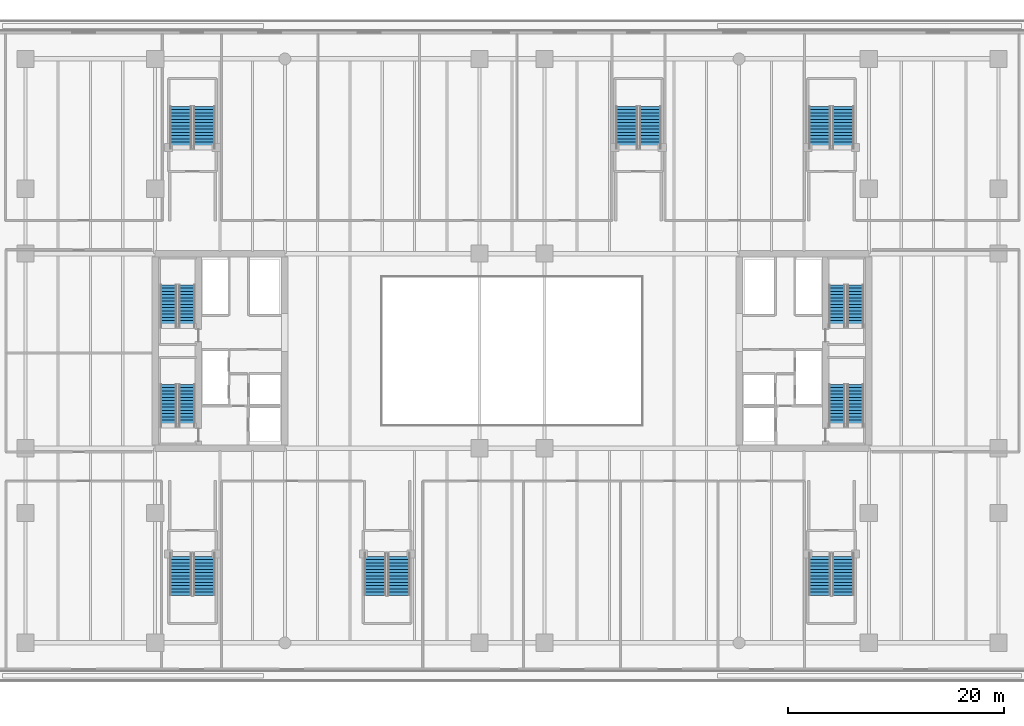
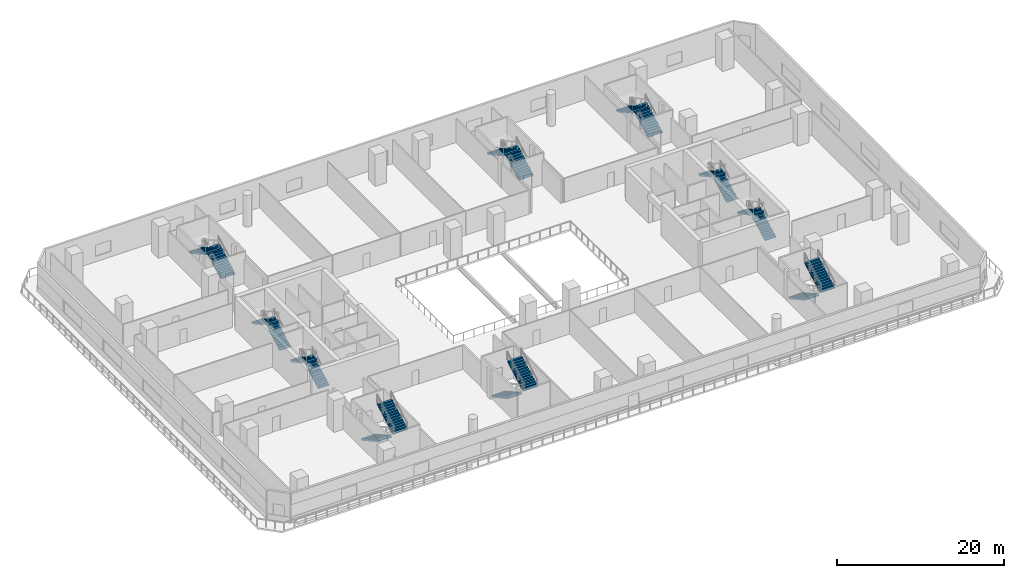
# One storey, part 10 of 27: 20 stair flights, 10 elements without a shape of their own.
"""IFC4 building model written with IfcOpenShell, lengths in metres."""

from ifc_helpers import new_model, si_unit, direction, frame, origin, place, context, subcontext, project, spatial, polyline, outline, extrude, material, type_object, element, aggregate, save


model = new_model("IFC4")

# Units and contexts
model_context = context("Model", 3, precision=1e-05, world=origin(), true_north=direction((0.0, 1.0)))
body_context = subcontext(model_context, "Body", "Model", "MODEL_VIEW")
ifc_project = project(units=[si_unit("LENGTHUNIT", "METRE"), si_unit("AREAUNIT", "SQUARE_METRE"), si_unit("VOLUMEUNIT", "CUBIC_METRE"), si_unit("PLANEANGLEUNIT", "RADIAN"), si_unit("MASSUNIT", "GRAM", prefix="KILO")], contexts=[model_context])

# Site, building, storey
site_placement = place(None, origin())
site = spatial("IfcSite", under=ifc_project, at=site_placement, CompositionType="ELEMENT")
building_placement = place(site_placement, origin())
building = spatial("IfcBuilding", under=site, at=building_placement, Name="Tanjung Sevakor Pilgrim Tower", CompositionType="ELEMENT")
storey_placement = place(building_placement, frame((0.0, 0.0, 19.469970703125)))
storey = spatial("IfcBuildingStorey", under=building, at=storey_placement, Name="L05", CompositionType="ELEMENT", Elevation=19.469970703125)

# Stair, stair flights
ifc_material_1 = material(Name="Concrete C40/50", Category="concrete")
stair_type_1 = type_object("IfcStairType", Name="STAIR-ST-CR150", PredefinedType="HALF_TURN_STAIR", material=ifc_material_1)
stair_1_placement = place(storey_placement, origin())
stair_1 = element("IfcStair", 1, at=stair_1_placement, inside=storey, type_object=stair_type_1, Name="L05 West Core Exit Stair 1", PredefinedType="HALF_TURN_STAIR")
ifc_material_2 = material(Name="Concrete C40/50", Category="concrete")
stair_flight_type_1 = type_object("IfcStairFlightType", Name="FLIGHT-ST-CR150", PredefinedType="STRAIGHT", material=ifc_material_2)
stair_flight_1_placement = place(storey_placement, frame((26.949951171875, 26.60009765625, 0.0), z_axis=(0.0, 0.0, 1.0), x_axis=(0.0, 1.0, 0.0)))
stair_flight_1 = element("IfcStairFlight", 2, at=stair_flight_1_placement, type_object=stair_flight_type_1, Name="TS-W1 flight 1", NumberOfRisers=14, NumberOfTreads=13, PredefinedType="STRAIGHT", RiserHeight=0.165, TreadLength=0.3, context=body_context, shape_type="SweptSolid", body=[
    extrude(outline(polyline([(0.0, 0.0), (0.0, 0.1650390625), (0.300048828125, 0.1650390625), (0.300048828125, 0.330078125), (0.60009765625, 0.330078125), (0.60009765625, 0.4951171875), (0.89990234375, 0.4951171875), (0.89990234375, 0.659912109375), (1.199951171875, 0.659912109375), (1.199951171875, 0.824951171875), (1.5, 0.824951171875), (1.5, 0.989990234375), (1.800048828125, 0.989990234375), (1.800048828125, 1.155029296875), (2.10009765625, 1.155029296875), (2.10009765625, 1.320068359375), (2.39990234375, 1.320068359375), (2.39990234375, 1.485107421875), (2.699951171875, 1.485107421875), (2.699951171875, 1.64990234375), (3.0, 1.64990234375), (3.0, 1.81494140625), (3.300048828125, 1.81494140625), (3.300048828125, 1.97998046875), (3.60009765625, 1.97998046875), (3.60009765625, 2.14501953125), (3.89990234375, 2.14501953125), (3.89990234375, 2.31005859375), (3.89990234375, 1.96240234375), (0.331787109375, 0.0), (0.0, 0.0)])), frame((0.0, 0.75, 0.0), z_axis=(0.0, -1.0, 0.0), x_axis=(1.0, 0.0, 0.0)), (0.0, 0.0, 1.0), 1.5),
])
stair_flight_2_placement = place(storey_placement, frame((25.25, 30.5, 2.31005859375), z_axis=(0.0, 0.0, 1.0), x_axis=(0.0, -1.0, 0.0)))
stair_flight_2 = element("IfcStairFlight", 3, at=stair_flight_2_placement, type_object=stair_flight_type_1, Name="TS-W1 flight 2", NumberOfRisers=14, NumberOfTreads=13, PredefinedType="STRAIGHT", RiserHeight=0.165, TreadLength=0.3, context=body_context, shape_type="SweptSolid", body=[
    extrude(outline(polyline([(0.0, 0.0), (0.0, 0.1650390625), (0.300048828125, 0.1650390625), (0.300048828125, 0.330078125), (0.60009765625, 0.330078125), (0.60009765625, 0.4951171875), (0.89990234375, 0.4951171875), (0.89990234375, 0.659912109375), (1.199951171875, 0.659912109375), (1.199951171875, 0.824951171875), (1.5, 0.824951171875), (1.5, 0.989990234375), (1.800048828125, 0.989990234375), (1.800048828125, 1.155029296875), (2.10009765625, 1.155029296875), (2.10009765625, 1.320068359375), (2.39990234375, 1.320068359375), (2.39990234375, 1.485107421875), (2.699951171875, 1.485107421875), (2.699951171875, 1.64990234375), (3.0, 1.64990234375), (3.0, 1.81494140625), (3.300048828125, 1.81494140625), (3.300048828125, 1.97998046875), (3.60009765625, 1.97998046875), (3.60009765625, 2.14501953125), (3.89990234375, 2.14501953125), (3.89990234375, 2.31005859375), (3.89990234375, 1.96240234375), (0.331787109375, 0.0), (0.0, 0.0)])), frame((0.0, 0.75, 0.0), z_axis=(0.0, -1.0, 0.0), x_axis=(1.0, 0.0, 0.0)), (0.0, 0.0, 1.0), 1.5),
])
aggregate(stair_1, [stair_flight_1, stair_flight_2])

stair_2_placement = place(storey_placement, origin())
stair_2 = element("IfcStair", 4, at=stair_2_placement, inside=storey, type_object=stair_type_1, Name="L05 West Core Exit Stair 2", PredefinedType="HALF_TURN_STAIR")
stair_flight_3_placement = place(storey_placement, frame((26.949951171875, 35.800048828125, 0.0), z_axis=(0.0, 0.0, 1.0), x_axis=(0.0, 1.0, 0.0)))
stair_flight_3 = element("IfcStairFlight", 5, at=stair_flight_3_placement, type_object=stair_flight_type_1, Name="TS-W2 flight 1", NumberOfRisers=14, NumberOfTreads=13, PredefinedType="STRAIGHT", RiserHeight=0.165, TreadLength=0.3, context=body_context, shape_type="SweptSolid", body=[
    extrude(outline(polyline([(0.0, 0.0), (0.0, 0.1650390625), (0.300048828125, 0.1650390625), (0.300048828125, 0.330078125), (0.60009765625, 0.330078125), (0.60009765625, 0.4951171875), (0.89990234375, 0.4951171875), (0.89990234375, 0.659912109375), (1.199951171875, 0.659912109375), (1.199951171875, 0.824951171875), (1.5, 0.824951171875), (1.5, 0.989990234375), (1.800048828125, 0.989990234375), (1.800048828125, 1.155029296875), (2.10009765625, 1.155029296875), (2.10009765625, 1.320068359375), (2.39990234375, 1.320068359375), (2.39990234375, 1.485107421875), (2.699951171875, 1.485107421875), (2.699951171875, 1.64990234375), (3.0, 1.64990234375), (3.0, 1.81494140625), (3.300048828125, 1.81494140625), (3.300048828125, 1.97998046875), (3.60009765625, 1.97998046875), (3.60009765625, 2.14501953125), (3.89990234375, 2.14501953125), (3.89990234375, 2.31005859375), (3.89990234375, 1.96240234375), (0.331787109375, 0.0), (0.0, 0.0)])), frame((0.0, 0.75, 0.0), z_axis=(0.0, -1.0, 0.0), x_axis=(1.0, 0.0, 0.0)), (0.0, 0.0, 1.0), 1.5),
])
stair_flight_4_placement = place(storey_placement, frame((25.25, 39.699951171875, 2.31005859375), z_axis=(0.0, 0.0, 1.0), x_axis=(0.0, -1.0, 0.0)))
stair_flight_4 = element("IfcStairFlight", 6, at=stair_flight_4_placement, type_object=stair_flight_type_1, Name="TS-W2 flight 2", NumberOfRisers=14, NumberOfTreads=13, PredefinedType="STRAIGHT", RiserHeight=0.165, TreadLength=0.3, context=body_context, shape_type="SweptSolid", body=[
    extrude(outline(polyline([(0.0, 0.0), (0.0, 0.1650390625), (0.300048828125, 0.1650390625), (0.300048828125, 0.330078125), (0.60009765625, 0.330078125), (0.60009765625, 0.4951171875), (0.89990234375, 0.4951171875), (0.89990234375, 0.659912109375), (1.199951171875, 0.659912109375), (1.199951171875, 0.824951171875), (1.5, 0.824951171875), (1.5, 0.989990234375), (1.800048828125, 0.989990234375), (1.800048828125, 1.155029296875), (2.10009765625, 1.155029296875), (2.10009765625, 1.320068359375), (2.39990234375, 1.320068359375), (2.39990234375, 1.485107421875), (2.699951171875, 1.485107421875), (2.699951171875, 1.64990234375), (3.0, 1.64990234375), (3.0, 1.81494140625), (3.300048828125, 1.81494140625), (3.300048828125, 1.97998046875), (3.60009765625, 1.97998046875), (3.60009765625, 2.14501953125), (3.89990234375, 2.14501953125), (3.89990234375, 2.31005859375), (3.89990234375, 1.96240234375), (0.331787109375, 0.0), (0.0, 0.0)])), frame((0.0, 0.75, 0.0), z_axis=(0.0, -1.0, 0.0), x_axis=(1.0, 0.0, 0.0)), (0.0, 0.0, 1.0), 1.5),
])
aggregate(stair_2, [stair_flight_3, stair_flight_4])

stair_3_placement = place(storey_placement, origin())
stair_3 = element("IfcStair", 7, at=stair_3_placement, inside=storey, type_object=stair_type_1, Name="L05 East Core Exit Stair 1", PredefinedType="HALF_TURN_STAIR")
stair_flight_5_placement = place(storey_placement, frame((88.75, 26.60009765625, 0.0), z_axis=(0.0, 0.0, 1.0), x_axis=(0.0, 1.0, 0.0)))
stair_flight_5 = element("IfcStairFlight", 8, at=stair_flight_5_placement, type_object=stair_flight_type_1, Name="TS-E1 flight 1", NumberOfRisers=14, NumberOfTreads=13, PredefinedType="STRAIGHT", RiserHeight=0.165, TreadLength=0.3, context=body_context, shape_type="SweptSolid", body=[
    extrude(outline(polyline([(0.0, 0.0), (0.0, 0.1650390625), (0.300048828125, 0.1650390625), (0.300048828125, 0.330078125), (0.60009765625, 0.330078125), (0.60009765625, 0.4951171875), (0.89990234375, 0.4951171875), (0.89990234375, 0.659912109375), (1.199951171875, 0.659912109375), (1.199951171875, 0.824951171875), (1.5, 0.824951171875), (1.5, 0.989990234375), (1.800048828125, 0.989990234375), (1.800048828125, 1.155029296875), (2.10009765625, 1.155029296875), (2.10009765625, 1.320068359375), (2.39990234375, 1.320068359375), (2.39990234375, 1.485107421875), (2.699951171875, 1.485107421875), (2.699951171875, 1.64990234375), (3.0, 1.64990234375), (3.0, 1.81494140625), (3.300048828125, 1.81494140625), (3.300048828125, 1.97998046875), (3.60009765625, 1.97998046875), (3.60009765625, 2.14501953125), (3.89990234375, 2.14501953125), (3.89990234375, 2.31005859375), (3.89990234375, 1.96240234375), (0.331787109375, 0.0), (0.0, 0.0)])), frame((0.0, 0.75, 0.0), z_axis=(0.0, -1.0, 0.0), x_axis=(1.0, 0.0, 0.0)), (0.0, 0.0, 1.0), 1.5),
])
stair_flight_6_placement = place(storey_placement, frame((87.050048828125, 30.5, 2.31005859375), z_axis=(0.0, 0.0, 1.0), x_axis=(0.0, -1.0, 0.0)))
stair_flight_6 = element("IfcStairFlight", 9, at=stair_flight_6_placement, type_object=stair_flight_type_1, Name="TS-E1 flight 2", NumberOfRisers=14, NumberOfTreads=13, PredefinedType="STRAIGHT", RiserHeight=0.165, TreadLength=0.3, context=body_context, shape_type="SweptSolid", body=[
    extrude(outline(polyline([(0.0, 0.0), (0.0, 0.1650390625), (0.300048828125, 0.1650390625), (0.300048828125, 0.330078125), (0.60009765625, 0.330078125), (0.60009765625, 0.4951171875), (0.89990234375, 0.4951171875), (0.89990234375, 0.659912109375), (1.199951171875, 0.659912109375), (1.199951171875, 0.824951171875), (1.5, 0.824951171875), (1.5, 0.989990234375), (1.800048828125, 0.989990234375), (1.800048828125, 1.155029296875), (2.10009765625, 1.155029296875), (2.10009765625, 1.320068359375), (2.39990234375, 1.320068359375), (2.39990234375, 1.485107421875), (2.699951171875, 1.485107421875), (2.699951171875, 1.64990234375), (3.0, 1.64990234375), (3.0, 1.81494140625), (3.300048828125, 1.81494140625), (3.300048828125, 1.97998046875), (3.60009765625, 1.97998046875), (3.60009765625, 2.14501953125), (3.89990234375, 2.14501953125), (3.89990234375, 2.31005859375), (3.89990234375, 1.96240234375), (0.331787109375, 0.0), (0.0, 0.0)])), frame((0.0, 0.75, 0.0), z_axis=(0.0, -1.0, 0.0), x_axis=(1.0, 0.0, 0.0)), (0.0, 0.0, 1.0), 1.5),
])
aggregate(stair_3, [stair_flight_5, stair_flight_6])

stair_4_placement = place(storey_placement, origin())
stair_4 = element("IfcStair", 10, at=stair_4_placement, inside=storey, type_object=stair_type_1, Name="L05 East Core Exit Stair 2", PredefinedType="HALF_TURN_STAIR")
stair_flight_7_placement = place(storey_placement, frame((88.75, 35.800048828125, 0.0), z_axis=(0.0, 0.0, 1.0), x_axis=(0.0, 1.0, 0.0)))
stair_flight_7 = element("IfcStairFlight", 11, at=stair_flight_7_placement, type_object=stair_flight_type_1, Name="TS-E2 flight 1", NumberOfRisers=14, NumberOfTreads=13, PredefinedType="STRAIGHT", RiserHeight=0.165, TreadLength=0.3, context=body_context, shape_type="SweptSolid", body=[
    extrude(outline(polyline([(0.0, 0.0), (0.0, 0.1650390625), (0.300048828125, 0.1650390625), (0.300048828125, 0.330078125), (0.60009765625, 0.330078125), (0.60009765625, 0.4951171875), (0.89990234375, 0.4951171875), (0.89990234375, 0.659912109375), (1.199951171875, 0.659912109375), (1.199951171875, 0.824951171875), (1.5, 0.824951171875), (1.5, 0.989990234375), (1.800048828125, 0.989990234375), (1.800048828125, 1.155029296875), (2.10009765625, 1.155029296875), (2.10009765625, 1.320068359375), (2.39990234375, 1.320068359375), (2.39990234375, 1.485107421875), (2.699951171875, 1.485107421875), (2.699951171875, 1.64990234375), (3.0, 1.64990234375), (3.0, 1.81494140625), (3.300048828125, 1.81494140625), (3.300048828125, 1.97998046875), (3.60009765625, 1.97998046875), (3.60009765625, 2.14501953125), (3.89990234375, 2.14501953125), (3.89990234375, 2.31005859375), (3.89990234375, 1.96240234375), (0.331787109375, 0.0), (0.0, 0.0)])), frame((0.0, 0.75, 0.0), z_axis=(0.0, -1.0, 0.0), x_axis=(1.0, 0.0, 0.0)), (0.0, 0.0, 1.0), 1.5),
])
stair_flight_8_placement = place(storey_placement, frame((87.050048828125, 39.699951171875, 2.31005859375), z_axis=(0.0, 0.0, 1.0), x_axis=(0.0, -1.0, 0.0)))
stair_flight_8 = element("IfcStairFlight", 12, at=stair_flight_8_placement, type_object=stair_flight_type_1, Name="TS-E2 flight 2", NumberOfRisers=14, NumberOfTreads=13, PredefinedType="STRAIGHT", RiserHeight=0.165, TreadLength=0.3, context=body_context, shape_type="SweptSolid", body=[
    extrude(outline(polyline([(0.0, 0.0), (0.0, 0.1650390625), (0.300048828125, 0.1650390625), (0.300048828125, 0.330078125), (0.60009765625, 0.330078125), (0.60009765625, 0.4951171875), (0.89990234375, 0.4951171875), (0.89990234375, 0.659912109375), (1.199951171875, 0.659912109375), (1.199951171875, 0.824951171875), (1.5, 0.824951171875), (1.5, 0.989990234375), (1.800048828125, 0.989990234375), (1.800048828125, 1.155029296875), (2.10009765625, 1.155029296875), (2.10009765625, 1.320068359375), (2.39990234375, 1.320068359375), (2.39990234375, 1.485107421875), (2.699951171875, 1.485107421875), (2.699951171875, 1.64990234375), (3.0, 1.64990234375), (3.0, 1.81494140625), (3.300048828125, 1.81494140625), (3.300048828125, 1.97998046875), (3.60009765625, 1.97998046875), (3.60009765625, 2.14501953125), (3.89990234375, 2.14501953125), (3.89990234375, 2.31005859375), (3.89990234375, 1.96240234375), (0.331787109375, 0.0), (0.0, 0.0)])), frame((0.0, 0.75, 0.0), z_axis=(0.0, -1.0, 0.0), x_axis=(1.0, 0.0, 0.0)), (0.0, 0.0, 1.0), 1.5),
])
aggregate(stair_4, [stair_flight_7, stair_flight_8])

ifc_material_3 = material(Name="Concrete C40/50", Category="concrete")
stair_type_2 = type_object("IfcStairType", Name="STAIR-ST-PD200", PredefinedType="HALF_TURN_STAIR", material=ifc_material_3)
stair_5_placement = place(storey_placement, origin())
stair_5 = element("IfcStair", 13, at=stair_5_placement, inside=storey, type_object=stair_type_2, Name="L05 Podium South-West Assembly Stair", PredefinedType="HALF_TURN_STAIR")
ifc_material_4 = material(Name="Concrete C40/50", Category="concrete")
stair_flight_type_2 = type_object("IfcStairFlightType", Name="FLIGHT-ST-PD200", PredefinedType="STRAIGHT", material=ifc_material_4)
stair_flight_9_placement = place(storey_placement, frame((26.35009765625, 14.89990234375, 0.0), z_axis=(0.0, 0.0, 1.0), x_axis=(0.0, -1.0, 0.0)))
stair_flight_9 = element("IfcStairFlight", 14, at=stair_flight_9_placement, type_object=stair_flight_type_2, Name="PS-1 flight 1", NumberOfRisers=14, NumberOfTreads=13, PredefinedType="STRAIGHT", RiserHeight=0.165, TreadLength=0.3, context=body_context, shape_type="SweptSolid", body=[
    extrude(outline(polyline([(0.0, 0.0), (0.0, 0.1650390625), (0.300048828125, 0.1650390625), (0.300048828125, 0.330078125), (0.60009765625, 0.330078125), (0.60009765625, 0.4951171875), (0.89990234375, 0.4951171875), (0.89990234375, 0.659912109375), (1.199951171875, 0.659912109375), (1.199951171875, 0.824951171875), (1.5, 0.824951171875), (1.5, 0.989990234375), (1.800048828125, 0.989990234375), (1.800048828125, 1.155029296875), (2.10009765625, 1.155029296875), (2.10009765625, 1.320068359375), (2.39990234375, 1.320068359375), (2.39990234375, 1.485107421875), (2.699951171875, 1.485107421875), (2.699951171875, 1.64990234375), (3.0, 1.64990234375), (3.0, 1.81494140625), (3.300048828125, 1.81494140625), (3.300048828125, 1.97998046875), (3.60009765625, 1.97998046875), (3.60009765625, 2.14501953125), (3.89990234375, 2.14501953125), (3.89990234375, 2.31005859375), (3.89990234375, 1.96240234375), (0.331787109375, 0.0), (0.0, 0.0)])), frame((0.0, 1.0, 0.0), z_axis=(0.0, -1.0, 0.0), x_axis=(1.0, 0.0, 0.0)), (0.0, 0.0, 1.0), 2.0),
])
stair_flight_10_placement = place(storey_placement, frame((28.550048828125, 11.0, 2.31005859375), z_axis=(0.0, 0.0, 1.0), x_axis=(0.0, 1.0, 0.0)))
stair_flight_10 = element("IfcStairFlight", 15, at=stair_flight_10_placement, type_object=stair_flight_type_2, Name="PS-1 flight 2", NumberOfRisers=14, NumberOfTreads=13, PredefinedType="STRAIGHT", RiserHeight=0.165, TreadLength=0.3, context=body_context, shape_type="SweptSolid", body=[
    extrude(outline(polyline([(0.0, 0.0), (0.0, 0.1650390625), (0.300048828125, 0.1650390625), (0.300048828125, 0.330078125), (0.60009765625, 0.330078125), (0.60009765625, 0.4951171875), (0.89990234375, 0.4951171875), (0.89990234375, 0.659912109375), (1.199951171875, 0.659912109375), (1.199951171875, 0.824951171875), (1.5, 0.824951171875), (1.5, 0.989990234375), (1.800048828125, 0.989990234375), (1.800048828125, 1.155029296875), (2.10009765625, 1.155029296875), (2.10009765625, 1.320068359375), (2.39990234375, 1.320068359375), (2.39990234375, 1.485107421875), (2.699951171875, 1.485107421875), (2.699951171875, 1.64990234375), (3.0, 1.64990234375), (3.0, 1.81494140625), (3.300048828125, 1.81494140625), (3.300048828125, 1.97998046875), (3.60009765625, 1.97998046875), (3.60009765625, 2.14501953125), (3.89990234375, 2.14501953125), (3.89990234375, 2.31005859375), (3.89990234375, 1.96240234375), (0.331787109375, 0.0), (0.0, 0.0)])), frame((0.0, 1.0, 0.0), z_axis=(0.0, -1.0, 0.0), x_axis=(1.0, 0.0, 0.0)), (0.0, 0.0, 1.0), 2.0),
])
aggregate(stair_5, [stair_flight_9, stair_flight_10])

stair_6_placement = place(storey_placement, origin())
stair_6 = element("IfcStair", 16, at=stair_6_placement, inside=storey, type_object=stair_type_2, Name="L05 Podium North-West Assembly Stair", PredefinedType="HALF_TURN_STAIR")
stair_flight_11_placement = place(storey_placement, frame((28.550048828125, 52.300048828125, 0.0), z_axis=(0.0, 0.0, 1.0), x_axis=(0.0, 1.0, 0.0)))
stair_flight_11 = element("IfcStairFlight", 17, at=stair_flight_11_placement, type_object=stair_flight_type_2, Name="PS-2 flight 1", NumberOfRisers=14, NumberOfTreads=13, PredefinedType="STRAIGHT", RiserHeight=0.165, TreadLength=0.3, context=body_context, shape_type="SweptSolid", body=[
    extrude(outline(polyline([(0.0, 0.0), (0.0, 0.1650390625), (0.300048828125, 0.1650390625), (0.300048828125, 0.330078125), (0.60009765625, 0.330078125), (0.60009765625, 0.4951171875), (0.89990234375, 0.4951171875), (0.89990234375, 0.659912109375), (1.199951171875, 0.659912109375), (1.199951171875, 0.824951171875), (1.5, 0.824951171875), (1.5, 0.989990234375), (1.800048828125, 0.989990234375), (1.800048828125, 1.155029296875), (2.10009765625, 1.155029296875), (2.10009765625, 1.320068359375), (2.39990234375, 1.320068359375), (2.39990234375, 1.485107421875), (2.699951171875, 1.485107421875), (2.699951171875, 1.64990234375), (3.0, 1.64990234375), (3.0, 1.81494140625), (3.300048828125, 1.81494140625), (3.300048828125, 1.97998046875), (3.60009765625, 1.97998046875), (3.60009765625, 2.14501953125), (3.89990234375, 2.14501953125), (3.89990234375, 2.31005859375), (3.89990234375, 1.96240234375), (0.331787109375, 0.0), (0.0, 0.0)])), frame((0.0, 1.0, 0.0), z_axis=(0.0, -1.0, 0.0), x_axis=(1.0, 0.0, 0.0)), (0.0, 0.0, 1.0), 2.0),
])
stair_flight_12_placement = place(storey_placement, frame((26.35009765625, 56.199951171875, 2.31005859375), z_axis=(0.0, 0.0, 1.0), x_axis=(0.0, -1.0, 0.0)))
stair_flight_12 = element("IfcStairFlight", 18, at=stair_flight_12_placement, type_object=stair_flight_type_2, Name="PS-2 flight 2", NumberOfRisers=14, NumberOfTreads=13, PredefinedType="STRAIGHT", RiserHeight=0.165, TreadLength=0.3, context=body_context, shape_type="SweptSolid", body=[
    extrude(outline(polyline([(0.0, 0.0), (0.0, 0.1650390625), (0.300048828125, 0.1650390625), (0.300048828125, 0.330078125), (0.60009765625, 0.330078125), (0.60009765625, 0.4951171875), (0.89990234375, 0.4951171875), (0.89990234375, 0.659912109375), (1.199951171875, 0.659912109375), (1.199951171875, 0.824951171875), (1.5, 0.824951171875), (1.5, 0.989990234375), (1.800048828125, 0.989990234375), (1.800048828125, 1.155029296875), (2.10009765625, 1.155029296875), (2.10009765625, 1.320068359375), (2.39990234375, 1.320068359375), (2.39990234375, 1.485107421875), (2.699951171875, 1.485107421875), (2.699951171875, 1.64990234375), (3.0, 1.64990234375), (3.0, 1.81494140625), (3.300048828125, 1.81494140625), (3.300048828125, 1.97998046875), (3.60009765625, 1.97998046875), (3.60009765625, 2.14501953125), (3.89990234375, 2.14501953125), (3.89990234375, 2.31005859375), (3.89990234375, 1.96240234375), (0.331787109375, 0.0), (0.0, 0.0)])), frame((0.0, 1.0, 0.0), z_axis=(0.0, -1.0, 0.0), x_axis=(1.0, 0.0, 0.0)), (0.0, 0.0, 1.0), 2.0),
])
aggregate(stair_6, [stair_flight_11, stair_flight_12])

stair_7_placement = place(storey_placement, origin())
stair_7 = element("IfcStair", 19, at=stair_7_placement, inside=storey, type_object=stair_type_2, Name="L05 Podium South-Central Assembly Stair", PredefinedType="HALF_TURN_STAIR")
stair_flight_13_placement = place(storey_placement, frame((44.35009765625, 14.89990234375, 0.0), z_axis=(0.0, 0.0, 1.0), x_axis=(0.0, -1.0, 0.0)))
stair_flight_13 = element("IfcStairFlight", 20, at=stair_flight_13_placement, type_object=stair_flight_type_2, Name="PS-3 flight 1", NumberOfRisers=14, NumberOfTreads=13, PredefinedType="STRAIGHT", RiserHeight=0.165, TreadLength=0.3, context=body_context, shape_type="SweptSolid", body=[
    extrude(outline(polyline([(0.0, 0.0), (0.0, 0.1650390625), (0.300048828125, 0.1650390625), (0.300048828125, 0.330078125), (0.60009765625, 0.330078125), (0.60009765625, 0.4951171875), (0.89990234375, 0.4951171875), (0.89990234375, 0.659912109375), (1.199951171875, 0.659912109375), (1.199951171875, 0.824951171875), (1.5, 0.824951171875), (1.5, 0.989990234375), (1.800048828125, 0.989990234375), (1.800048828125, 1.155029296875), (2.10009765625, 1.155029296875), (2.10009765625, 1.320068359375), (2.39990234375, 1.320068359375), (2.39990234375, 1.485107421875), (2.699951171875, 1.485107421875), (2.699951171875, 1.64990234375), (3.0, 1.64990234375), (3.0, 1.81494140625), (3.300048828125, 1.81494140625), (3.300048828125, 1.97998046875), (3.60009765625, 1.97998046875), (3.60009765625, 2.14501953125), (3.89990234375, 2.14501953125), (3.89990234375, 2.31005859375), (3.89990234375, 1.96240234375), (0.331787109375, 0.0), (0.0, 0.0)])), frame((0.0, 1.0, 0.0), z_axis=(0.0, -1.0, 0.0), x_axis=(1.0, 0.0, 0.0)), (0.0, 0.0, 1.0), 2.0),
])
stair_flight_14_placement = place(storey_placement, frame((46.550048828125, 11.0, 2.31005859375), z_axis=(0.0, 0.0, 1.0), x_axis=(0.0, 1.0, 0.0)))
stair_flight_14 = element("IfcStairFlight", 21, at=stair_flight_14_placement, type_object=stair_flight_type_2, Name="PS-3 flight 2", NumberOfRisers=14, NumberOfTreads=13, PredefinedType="STRAIGHT", RiserHeight=0.165, TreadLength=0.3, context=body_context, shape_type="SweptSolid", body=[
    extrude(outline(polyline([(0.0, 0.0), (0.0, 0.1650390625), (0.300048828125, 0.1650390625), (0.300048828125, 0.330078125), (0.60009765625, 0.330078125), (0.60009765625, 0.4951171875), (0.89990234375, 0.4951171875), (0.89990234375, 0.659912109375), (1.199951171875, 0.659912109375), (1.199951171875, 0.824951171875), (1.5, 0.824951171875), (1.5, 0.989990234375), (1.800048828125, 0.989990234375), (1.800048828125, 1.155029296875), (2.10009765625, 1.155029296875), (2.10009765625, 1.320068359375), (2.39990234375, 1.320068359375), (2.39990234375, 1.485107421875), (2.699951171875, 1.485107421875), (2.699951171875, 1.64990234375), (3.0, 1.64990234375), (3.0, 1.81494140625), (3.300048828125, 1.81494140625), (3.300048828125, 1.97998046875), (3.60009765625, 1.97998046875), (3.60009765625, 2.14501953125), (3.89990234375, 2.14501953125), (3.89990234375, 2.31005859375), (3.89990234375, 1.96240234375), (0.331787109375, 0.0), (0.0, 0.0)])), frame((0.0, 1.0, 0.0), z_axis=(0.0, -1.0, 0.0), x_axis=(1.0, 0.0, 0.0)), (0.0, 0.0, 1.0), 2.0),
])
aggregate(stair_7, [stair_flight_13, stair_flight_14])

stair_8_placement = place(storey_placement, origin())
stair_8 = element("IfcStair", 22, at=stair_8_placement, inside=storey, type_object=stair_type_2, Name="L05 Podium North-Central Assembly Stair", PredefinedType="HALF_TURN_STAIR")
stair_flight_15_placement = place(storey_placement, frame((69.800048828125, 52.300048828125, 0.0), z_axis=(0.0, 0.0, 1.0), x_axis=(0.0, 1.0, 0.0)))
stair_flight_15 = element("IfcStairFlight", 23, at=stair_flight_15_placement, type_object=stair_flight_type_2, Name="PS-4 flight 1", NumberOfRisers=14, NumberOfTreads=13, PredefinedType="STRAIGHT", RiserHeight=0.165, TreadLength=0.3, context=body_context, shape_type="SweptSolid", body=[
    extrude(outline(polyline([(0.0, 0.0), (0.0, 0.1650390625), (0.300048828125, 0.1650390625), (0.300048828125, 0.330078125), (0.60009765625, 0.330078125), (0.60009765625, 0.4951171875), (0.89990234375, 0.4951171875), (0.89990234375, 0.659912109375), (1.199951171875, 0.659912109375), (1.199951171875, 0.824951171875), (1.5, 0.824951171875), (1.5, 0.989990234375), (1.800048828125, 0.989990234375), (1.800048828125, 1.155029296875), (2.10009765625, 1.155029296875), (2.10009765625, 1.320068359375), (2.39990234375, 1.320068359375), (2.39990234375, 1.485107421875), (2.699951171875, 1.485107421875), (2.699951171875, 1.64990234375), (3.0, 1.64990234375), (3.0, 1.81494140625), (3.300048828125, 1.81494140625), (3.300048828125, 1.97998046875), (3.60009765625, 1.97998046875), (3.60009765625, 2.14501953125), (3.89990234375, 2.14501953125), (3.89990234375, 2.31005859375), (3.89990234375, 1.96240234375), (0.331787109375, 0.0), (0.0, 0.0)])), frame((0.0, 1.0, 0.0), z_axis=(0.0, -1.0, 0.0), x_axis=(1.0, 0.0, 0.0)), (0.0, 0.0, 1.0), 2.0),
])
stair_flight_16_placement = place(storey_placement, frame((67.60009765625, 56.199951171875, 2.31005859375), z_axis=(0.0, 0.0, 1.0), x_axis=(0.0, -1.0, 0.0)))
stair_flight_16 = element("IfcStairFlight", 24, at=stair_flight_16_placement, type_object=stair_flight_type_2, Name="PS-4 flight 2", NumberOfRisers=14, NumberOfTreads=13, PredefinedType="STRAIGHT", RiserHeight=0.165, TreadLength=0.3, context=body_context, shape_type="SweptSolid", body=[
    extrude(outline(polyline([(0.0, 0.0), (0.0, 0.1650390625), (0.300048828125, 0.1650390625), (0.300048828125, 0.330078125), (0.60009765625, 0.330078125), (0.60009765625, 0.4951171875), (0.89990234375, 0.4951171875), (0.89990234375, 0.659912109375), (1.199951171875, 0.659912109375), (1.199951171875, 0.824951171875), (1.5, 0.824951171875), (1.5, 0.989990234375), (1.800048828125, 0.989990234375), (1.800048828125, 1.155029296875), (2.10009765625, 1.155029296875), (2.10009765625, 1.320068359375), (2.39990234375, 1.320068359375), (2.39990234375, 1.485107421875), (2.699951171875, 1.485107421875), (2.699951171875, 1.64990234375), (3.0, 1.64990234375), (3.0, 1.81494140625), (3.300048828125, 1.81494140625), (3.300048828125, 1.97998046875), (3.60009765625, 1.97998046875), (3.60009765625, 2.14501953125), (3.89990234375, 2.14501953125), (3.89990234375, 2.31005859375), (3.89990234375, 1.96240234375), (0.331787109375, 0.0), (0.0, 0.0)])), frame((0.0, 1.0, 0.0), z_axis=(0.0, -1.0, 0.0), x_axis=(1.0, 0.0, 0.0)), (0.0, 0.0, 1.0), 2.0),
])
aggregate(stair_8, [stair_flight_15, stair_flight_16])

stair_9_placement = place(storey_placement, origin())
stair_9 = element("IfcStair", 25, at=stair_9_placement, inside=storey, type_object=stair_type_2, Name="L05 Podium South-East Assembly Stair", PredefinedType="HALF_TURN_STAIR")
stair_flight_17_placement = place(storey_placement, frame((85.449951171875, 14.89990234375, 0.0), z_axis=(0.0, 0.0, 1.0), x_axis=(0.0, -1.0, 0.0)))
stair_flight_17 = element("IfcStairFlight", 26, at=stair_flight_17_placement, type_object=stair_flight_type_2, Name="PS-5 flight 1", NumberOfRisers=14, NumberOfTreads=13, PredefinedType="STRAIGHT", RiserHeight=0.165, TreadLength=0.3, context=body_context, shape_type="SweptSolid", body=[
    extrude(outline(polyline([(0.0, 0.0), (0.0, 0.1650390625), (0.300048828125, 0.1650390625), (0.300048828125, 0.330078125), (0.60009765625, 0.330078125), (0.60009765625, 0.4951171875), (0.89990234375, 0.4951171875), (0.89990234375, 0.659912109375), (1.199951171875, 0.659912109375), (1.199951171875, 0.824951171875), (1.5, 0.824951171875), (1.5, 0.989990234375), (1.800048828125, 0.989990234375), (1.800048828125, 1.155029296875), (2.10009765625, 1.155029296875), (2.10009765625, 1.320068359375), (2.39990234375, 1.320068359375), (2.39990234375, 1.485107421875), (2.699951171875, 1.485107421875), (2.699951171875, 1.64990234375), (3.0, 1.64990234375), (3.0, 1.81494140625), (3.300048828125, 1.81494140625), (3.300048828125, 1.97998046875), (3.60009765625, 1.97998046875), (3.60009765625, 2.14501953125), (3.89990234375, 2.14501953125), (3.89990234375, 2.31005859375), (3.89990234375, 1.96240234375), (0.331787109375, 0.0), (0.0, 0.0)])), frame((0.0, 1.0, 0.0), z_axis=(0.0, -1.0, 0.0), x_axis=(1.0, 0.0, 0.0)), (0.0, 0.0, 1.0), 2.0),
])
stair_flight_18_placement = place(storey_placement, frame((87.64990234375, 11.0, 2.31005859375), z_axis=(0.0, 0.0, 1.0), x_axis=(0.0, 1.0, 0.0)))
stair_flight_18 = element("IfcStairFlight", 27, at=stair_flight_18_placement, type_object=stair_flight_type_2, Name="PS-5 flight 2", NumberOfRisers=14, NumberOfTreads=13, PredefinedType="STRAIGHT", RiserHeight=0.165, TreadLength=0.3, context=body_context, shape_type="SweptSolid", body=[
    extrude(outline(polyline([(0.0, 0.0), (0.0, 0.1650390625), (0.300048828125, 0.1650390625), (0.300048828125, 0.330078125), (0.60009765625, 0.330078125), (0.60009765625, 0.4951171875), (0.89990234375, 0.4951171875), (0.89990234375, 0.659912109375), (1.199951171875, 0.659912109375), (1.199951171875, 0.824951171875), (1.5, 0.824951171875), (1.5, 0.989990234375), (1.800048828125, 0.989990234375), (1.800048828125, 1.155029296875), (2.10009765625, 1.155029296875), (2.10009765625, 1.320068359375), (2.39990234375, 1.320068359375), (2.39990234375, 1.485107421875), (2.699951171875, 1.485107421875), (2.699951171875, 1.64990234375), (3.0, 1.64990234375), (3.0, 1.81494140625), (3.300048828125, 1.81494140625), (3.300048828125, 1.97998046875), (3.60009765625, 1.97998046875), (3.60009765625, 2.14501953125), (3.89990234375, 2.14501953125), (3.89990234375, 2.31005859375), (3.89990234375, 1.96240234375), (0.331787109375, 0.0), (0.0, 0.0)])), frame((0.0, 1.0, 0.0), z_axis=(0.0, -1.0, 0.0), x_axis=(1.0, 0.0, 0.0)), (0.0, 0.0, 1.0), 2.0),
])
aggregate(stair_9, [stair_flight_17, stair_flight_18])

stair_10_placement = place(storey_placement, origin())
stair_10 = element("IfcStair", 28, at=stair_10_placement, inside=storey, type_object=stair_type_2, Name="L05 Podium North-East Assembly Stair", PredefinedType="HALF_TURN_STAIR")
stair_flight_19_placement = place(storey_placement, frame((87.64990234375, 52.300048828125, 0.0), z_axis=(0.0, 0.0, 1.0), x_axis=(0.0, 1.0, 0.0)))
stair_flight_19 = element("IfcStairFlight", 29, at=stair_flight_19_placement, type_object=stair_flight_type_2, Name="PS-6 flight 1", NumberOfRisers=14, NumberOfTreads=13, PredefinedType="STRAIGHT", RiserHeight=0.165, TreadLength=0.3, context=body_context, shape_type="SweptSolid", body=[
    extrude(outline(polyline([(0.0, 0.0), (0.0, 0.1650390625), (0.300048828125, 0.1650390625), (0.300048828125, 0.330078125), (0.60009765625, 0.330078125), (0.60009765625, 0.4951171875), (0.89990234375, 0.4951171875), (0.89990234375, 0.659912109375), (1.199951171875, 0.659912109375), (1.199951171875, 0.824951171875), (1.5, 0.824951171875), (1.5, 0.989990234375), (1.800048828125, 0.989990234375), (1.800048828125, 1.155029296875), (2.10009765625, 1.155029296875), (2.10009765625, 1.320068359375), (2.39990234375, 1.320068359375), (2.39990234375, 1.485107421875), (2.699951171875, 1.485107421875), (2.699951171875, 1.64990234375), (3.0, 1.64990234375), (3.0, 1.81494140625), (3.300048828125, 1.81494140625), (3.300048828125, 1.97998046875), (3.60009765625, 1.97998046875), (3.60009765625, 2.14501953125), (3.89990234375, 2.14501953125), (3.89990234375, 2.31005859375), (3.89990234375, 1.96240234375), (0.331787109375, 0.0), (0.0, 0.0)])), frame((0.0, 1.0, 0.0), z_axis=(0.0, -1.0, 0.0), x_axis=(1.0, 0.0, 0.0)), (0.0, 0.0, 1.0), 2.0),
])
stair_flight_20_placement = place(storey_placement, frame((85.449951171875, 56.199951171875, 2.31005859375), z_axis=(0.0, 0.0, 1.0), x_axis=(0.0, -1.0, 0.0)))
stair_flight_20 = element("IfcStairFlight", 30, at=stair_flight_20_placement, type_object=stair_flight_type_2, Name="PS-6 flight 2", NumberOfRisers=14, NumberOfTreads=13, PredefinedType="STRAIGHT", RiserHeight=0.165, TreadLength=0.3, context=body_context, shape_type="SweptSolid", body=[
    extrude(outline(polyline([(0.0, 0.0), (0.0, 0.1650390625), (0.300048828125, 0.1650390625), (0.300048828125, 0.330078125), (0.60009765625, 0.330078125), (0.60009765625, 0.4951171875), (0.89990234375, 0.4951171875), (0.89990234375, 0.659912109375), (1.199951171875, 0.659912109375), (1.199951171875, 0.824951171875), (1.5, 0.824951171875), (1.5, 0.989990234375), (1.800048828125, 0.989990234375), (1.800048828125, 1.155029296875), (2.10009765625, 1.155029296875), (2.10009765625, 1.320068359375), (2.39990234375, 1.320068359375), (2.39990234375, 1.485107421875), (2.699951171875, 1.485107421875), (2.699951171875, 1.64990234375), (3.0, 1.64990234375), (3.0, 1.81494140625), (3.300048828125, 1.81494140625), (3.300048828125, 1.97998046875), (3.60009765625, 1.97998046875), (3.60009765625, 2.14501953125), (3.89990234375, 2.14501953125), (3.89990234375, 2.31005859375), (3.89990234375, 1.96240234375), (0.331787109375, 0.0), (0.0, 0.0)])), frame((0.0, 1.0, 0.0), z_axis=(0.0, -1.0, 0.0), x_axis=(1.0, 0.0, 0.0)), (0.0, 0.0, 1.0), 2.0),
])
aggregate(stair_10, [stair_flight_19, stair_flight_20])

save(model, "model.ifc")
